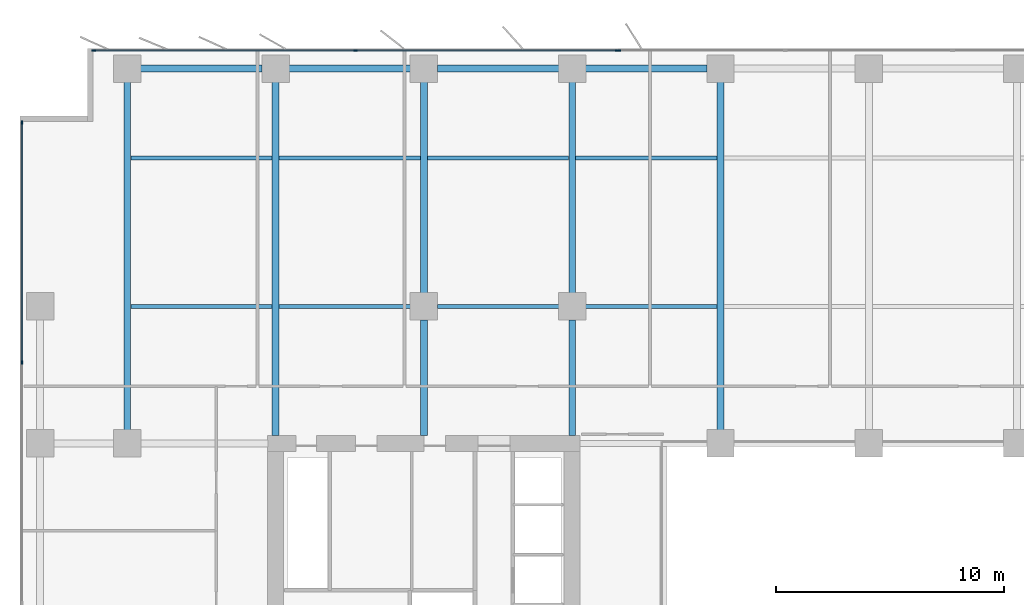
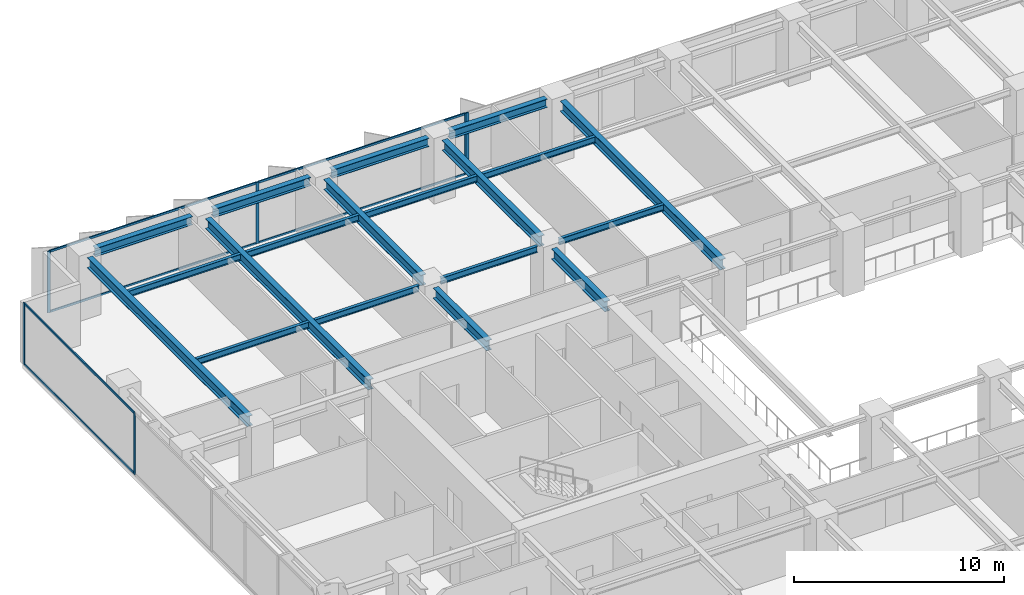
# One storey, part 7 of 20: 19 beams, 12 members, 3 elements without a shape of their own.
"""IFC4 building model written with IfcOpenShell, lengths in metres."""

from ifc_helpers import new_model, si_unit, direction, frame, origin, origin_2d, place, context, subcontext, project, spatial, rectangle, i_section, extrude, material, layer, layer_set, material_profile, profile_set, type_object, element, aggregate, save


model = new_model("IFC4")

# Units and contexts
model_context = context("Model", 3, precision=1e-05, world=origin(), true_north=direction((0.0, 1.0)))
body_context = subcontext(model_context, "Body", "Model", "MODEL_VIEW")
ifc_project = project(units=[si_unit("LENGTHUNIT", "METRE"), si_unit("AREAUNIT", "SQUARE_METRE"), si_unit("VOLUMEUNIT", "CUBIC_METRE"), si_unit("PLANEANGLEUNIT", "RADIAN"), si_unit("MASSUNIT", "GRAM", prefix="KILO")], contexts=[model_context])

# Site, building, storey
site_placement = place(None, origin())
site = spatial("IfcSite", under=ifc_project, at=site_placement, CompositionType="ELEMENT")
building_placement = place(site_placement, origin())
building = spatial("IfcBuilding", under=site, at=building_placement, Name="Putna Gate Headquarters", CompositionType="ELEMENT")
storey_placement = place(building_placement, frame((0.0, 0.0, 120.199951171875)))
storey = spatial("IfcBuildingStorey", under=building, at=storey_placement, Name="L29", CompositionType="ELEMENT", Elevation=120.199951171875)

# Beams
ifc_material_1 = material(Name="Steel S355J2", Category="steel")
ifc_material_profile_1 = material_profile(ifc_material_1, i_section(OverallWidth=0.300048828125, OverallDepth=0.60009765625, WebThickness=0.015380859375, FlangeThickness=0.030029296875, at=origin_2d()), Name="Steel S355J2")
ifc_profile_set_1 = profile_set([ifc_material_profile_1], Name="Steel S355J2")
beam_type_1 = type_object("IfcBeamType", Name="BM-GIRD-Z2-HEB600", PredefinedType="USERDEFINED", material=ifc_profile_set_1)
beam_1_placement = place(storey_placement, frame((6.5, 33.587890625, 3.26513671875), z_axis=(0.0, 1.0, 0.0), x_axis=(-1.0, 0.0, 0.0)))
element("IfcBeam", 1, at=beam_1_placement, inside=storey, type_object=beam_type_1, Name="L29 North Primary Girder X6", ObjectType="GIRDER", PredefinedType="USERDEFINED", context=body_context, shape_type="SweptSolid", body=[
    extrude(i_section(OverallWidth=0.300048828125, OverallDepth=0.60009765625, WebThickness=0.015380859375, FlangeThickness=0.030029296875, at=origin_2d()), origin(), (0.0, 0.0, 1.0), 15.244140625),
])
beam_2_placement = place(storey_placement, frame((13.0, 33.3349609375, 3.26513671875), z_axis=(0.0, 1.0, 0.0), x_axis=(-1.0, 0.0, 0.0)))
element("IfcBeam", 2, at=beam_2_placement, inside=storey, type_object=beam_type_1, Name="L29 North Primary Girder X13", ObjectType="GIRDER", PredefinedType="USERDEFINED", context=body_context, shape_type="SweptSolid", body=[
    extrude(i_section(OverallWidth=0.300048828125, OverallDepth=0.60009765625, WebThickness=0.015380859375, FlangeThickness=0.030029296875, at=origin_2d()), origin(), (0.0, 0.0, 1.0), 15.4970703125),
])
beam_3_placement = place(storey_placement, frame((19.5, 33.3349609375, 3.26513671875), z_axis=(0.0, 1.0, 0.0), x_axis=(-1.0, 0.0, 0.0)))
element("IfcBeam", 3, at=beam_3_placement, inside=storey, type_object=beam_type_1, Name="L29 North Primary Girder X19-1", ObjectType="GIRDER", PredefinedType="USERDEFINED", context=body_context, shape_type="SweptSolid", body=[
    extrude(i_section(OverallWidth=0.300048828125, OverallDepth=0.60009765625, WebThickness=0.015380859375, FlangeThickness=0.030029296875, at=origin_2d()), origin(), (0.0, 0.0, 1.0), 5.0771484375),
])
beam_4_placement = place(storey_placement, frame((19.5, 39.587890625, 3.26513671875), z_axis=(0.0, 1.0, 0.0), x_axis=(-1.0, 0.0, 0.0)))
element("IfcBeam", 4, at=beam_4_placement, inside=storey, type_object=beam_type_1, Name="L29 North Primary Girder X19-2", ObjectType="GIRDER", PredefinedType="USERDEFINED", context=body_context, shape_type="SweptSolid", body=[
    extrude(i_section(OverallWidth=0.300048828125, OverallDepth=0.60009765625, WebThickness=0.015380859375, FlangeThickness=0.030029296875, at=origin_2d()), origin(), (0.0, 0.0, 1.0), 9.244140625),
])
beam_5_placement = place(storey_placement, frame((26.0, 33.3349609375, 3.26513671875), z_axis=(0.0, 1.0, 0.0), x_axis=(-1.0, 0.0, 0.0)))
element("IfcBeam", 5, at=beam_5_placement, inside=storey, type_object=beam_type_1, Name="L29 North Primary Girder X26-1", ObjectType="GIRDER", PredefinedType="USERDEFINED", context=body_context, shape_type="SweptSolid", body=[
    extrude(i_section(OverallWidth=0.300048828125, OverallDepth=0.60009765625, WebThickness=0.015380859375, FlangeThickness=0.030029296875, at=origin_2d()), origin(), (0.0, 0.0, 1.0), 5.0771484375),
])
beam_6_placement = place(storey_placement, frame((26.0, 39.587890625, 3.26513671875), z_axis=(0.0, 1.0, 0.0), x_axis=(-1.0, 0.0, 0.0)))
element("IfcBeam", 6, at=beam_6_placement, inside=storey, type_object=beam_type_1, Name="L29 North Primary Girder X26-2", ObjectType="GIRDER", PredefinedType="USERDEFINED", context=body_context, shape_type="SweptSolid", body=[
    extrude(i_section(OverallWidth=0.300048828125, OverallDepth=0.60009765625, WebThickness=0.015380859375, FlangeThickness=0.030029296875, at=origin_2d()), origin(), (0.0, 0.0, 1.0), 9.244140625),
])
beam_7_placement = place(storey_placement, frame((32.5, 33.587890625, 3.26513671875), z_axis=(0.0, 1.0, 0.0), x_axis=(-1.0, 0.0, 0.0)))
element("IfcBeam", 7, at=beam_7_placement, inside=storey, type_object=beam_type_1, Name="L29 North Primary Girder X32", ObjectType="GIRDER", PredefinedType="USERDEFINED", context=body_context, shape_type="SweptSolid", body=[
    extrude(i_section(OverallWidth=0.300048828125, OverallDepth=0.60009765625, WebThickness=0.015380859375, FlangeThickness=0.030029296875, at=origin_2d()), origin(), (0.0, 0.0, 1.0), 15.244140625),
])
ifc_material_profile_2 = material_profile(ifc_material_1, i_section(OverallWidth=0.169921875, OverallDepth=0.360107421875, WebThickness=0.008056640625, FlangeThickness=0.0126953125, at=origin_2d()), Name="Steel S355J2")
ifc_profile_set_2 = profile_set([ifc_material_profile_2], Name="Steel S355J2")
beam_type_2 = type_object("IfcBeamType", Name="BM-SEC-Z2-IPE360", PredefinedType="BEAM", material=ifc_profile_set_2)
for number, where, z_axis, x_axis, name in (
    (8, (6.654052734375, 39.0, 3.385009765625), (1.0, 0.0, 0.0), (0.0, 1.0, 0.0), "L29 North Secondary Beam 1"),
    (9, (6.654052734375, 45.5, 3.385009765625), (1.0, 0.0, 0.0), (0.0, 1.0, 0.0), "L29 North Secondary Beam 1"),
):
    element("IfcBeam", number, at=place(storey_placement, frame(where, z_axis=z_axis, x_axis=x_axis)), inside=storey, type_object=beam_type_2, Name=name, PredefinedType="BEAM", context=body_context, shape_type="SweptSolid", body=[
        extrude(i_section(OverallWidth=0.169921875, OverallDepth=0.360107421875, WebThickness=0.008056640625, FlangeThickness=0.0126953125, at=origin_2d()), origin(), (0.0, 0.0, 1.0), 6.19189453125),
    ])
beam_8_placement = place(storey_placement, frame((13.154052734375, 39.0, 3.385009765625), z_axis=(1.0, 0.0, 0.0), x_axis=(0.0, 1.0, 0.0)))
element("IfcBeam", 10, at=beam_8_placement, inside=storey, type_object=beam_type_2, Name="L29 North Secondary Beam 2", PredefinedType="BEAM", context=body_context, shape_type="SweptSolid", body=[
    extrude(i_section(OverallWidth=0.169921875, OverallDepth=0.360107421875, WebThickness=0.008056640625, FlangeThickness=0.0126953125, at=origin_2d()), origin(), (0.0, 0.0, 1.0), 5.758056640625),
])
beam_9_placement = place(storey_placement, frame((13.154052734375, 45.5, 3.385009765625), z_axis=(1.0, 0.0, 0.0), x_axis=(0.0, 1.0, 0.0)))
element("IfcBeam", 11, at=beam_9_placement, inside=storey, type_object=beam_type_2, Name="L29 North Secondary Beam 2", PredefinedType="BEAM", context=body_context, shape_type="SweptSolid", body=[
    extrude(i_section(OverallWidth=0.169921875, OverallDepth=0.360107421875, WebThickness=0.008056640625, FlangeThickness=0.0126953125, at=origin_2d()), origin(), (0.0, 0.0, 1.0), 6.19189453125),
])
beam_10_placement = place(storey_placement, frame((20.087890625, 39.0, 3.385009765625), z_axis=(1.0, 0.0, 0.0), x_axis=(0.0, 1.0, 0.0)))
element("IfcBeam", 12, at=beam_10_placement, inside=storey, type_object=beam_type_2, Name="L29 North Secondary Beam 3", PredefinedType="BEAM", context=body_context, shape_type="SweptSolid", body=[
    extrude(i_section(OverallWidth=0.169921875, OverallDepth=0.360107421875, WebThickness=0.008056640625, FlangeThickness=0.0126953125, at=origin_2d()), origin(), (0.0, 0.0, 1.0), 5.32421875),
])
beam_11_placement = place(storey_placement, frame((19.654052734375, 45.5, 3.385009765625), z_axis=(1.0, 0.0, 0.0), x_axis=(0.0, 1.0, 0.0)))
element("IfcBeam", 13, at=beam_11_placement, inside=storey, type_object=beam_type_2, Name="L29 North Secondary Beam 3", PredefinedType="BEAM", context=body_context, shape_type="SweptSolid", body=[
    extrude(i_section(OverallWidth=0.169921875, OverallDepth=0.360107421875, WebThickness=0.008056640625, FlangeThickness=0.0126953125, at=origin_2d()), origin(), (0.0, 0.0, 1.0), 6.19189453125),
])
beam_12_placement = place(storey_placement, frame((26.587890625, 39.0, 3.385009765625), z_axis=(1.0, 0.0, 0.0), x_axis=(0.0, 1.0, 0.0)))
element("IfcBeam", 14, at=beam_12_placement, inside=storey, type_object=beam_type_2, Name="L29 North Secondary Beam 4", PredefinedType="BEAM", context=body_context, shape_type="SweptSolid", body=[
    extrude(i_section(OverallWidth=0.169921875, OverallDepth=0.360107421875, WebThickness=0.008056640625, FlangeThickness=0.0126953125, at=origin_2d()), origin(), (0.0, 0.0, 1.0), 5.758056640625),
])
beam_13_placement = place(storey_placement, frame((26.154052734375, 45.5, 3.385009765625), z_axis=(1.0, 0.0, 0.0), x_axis=(0.0, 1.0, 0.0)))
element("IfcBeam", 15, at=beam_13_placement, inside=storey, type_object=beam_type_2, Name="L29 North Secondary Beam 4", PredefinedType="BEAM", context=body_context, shape_type="SweptSolid", body=[
    extrude(i_section(OverallWidth=0.169921875, OverallDepth=0.360107421875, WebThickness=0.008056640625, FlangeThickness=0.0126953125, at=origin_2d()), origin(), (0.0, 0.0, 1.0), 6.19189453125),
])
ifc_material_profile_3 = material_profile(ifc_material_1, i_section(OverallWidth=0.300048828125, OverallDepth=0.489990234375, WebThickness=0.011962890625, FlangeThickness=0.02294921875, at=origin_2d()), Name="Steel S355J2")
ifc_profile_set_3 = profile_set([ifc_material_profile_3], Name="Steel S355J2")
beam_type_3 = type_object("IfcBeamType", Name="BM-SPAN-Z2-HEA500", PredefinedType="SPANDREL", material=ifc_profile_set_3)
for number, where, z_axis, x_axis, name in (
    (16, (7.087890625, 49.419921875, 3.320068359375), (1.0, 0.0, 0.0), (0.0, 1.0, 0.0), "L29 N Perimeter Spandrel 1"),
    (17, (13.587890625, 49.419921875, 3.320068359375), (1.0, 0.0, 0.0), (0.0, 1.0, 0.0), "L29 N Perimeter Spandrel 2"),
    (18, (20.087890625, 49.419921875, 3.320068359375), (1.0, 0.0, 0.0), (0.0, 1.0, 0.0), "L29 N Perimeter Spandrel 3"),
    (19, (26.587890625, 49.419921875, 3.320068359375), (1.0, 0.0, 0.0), (0.0, 1.0, 0.0), "L29 N Perimeter Spandrel 4"),
):
    element("IfcBeam", number, at=place(storey_placement, frame(where, z_axis=z_axis, x_axis=x_axis)), inside=storey, type_object=beam_type_3, Name=name, PredefinedType="SPANDREL", context=body_context, shape_type="SweptSolid", body=[
        extrude(i_section(OverallWidth=0.300048828125, OverallDepth=0.489990234375, WebThickness=0.011962890625, FlangeThickness=0.02294921875, at=origin_2d()), origin(), (0.0, 0.0, 1.0), 5.32421875),
    ])

# Curtain wall, members
ifc_material_2 = material(Name="Anodised bronze aluminium curtain wall", Category="aluminium")
ifc_layer_1 = layer(ifc_material_2, 0.159912109375)
ifc_layer_set_1 = layer_set([ifc_layer_1], Name="Anodised bronze aluminium curtain wall")
curtain_wall_type_1 = type_object("IfcCurtainWallType", Name="CW-SYS-Z2", PredefinedType="USERDEFINED", material=ifc_layer_set_1)
curtain_wall_1_placement = place(storey_placement, origin())
curtain_wall_1 = element("IfcCurtainWall", 20, at=curtain_wall_1_placement, inside=storey, type_object=curtain_wall_type_1, Name="L29 North West Curtain Wall", ObjectType="STICK CURTAIN WALL", PredefinedType="USERDEFINED")
ifc_material_3 = material(Name="Anodised bronze aluminium EN AW-6060", Category="aluminium")
ifc_material_profile_4 = material_profile(ifc_material_3, rectangle(XDim=0.06494140625, YDim=0.159912109375, at=origin_2d()), Name="Anodised bronze aluminium EN AW-6060")
ifc_profile_set_4 = profile_set([ifc_material_profile_4], Name="Anodised bronze aluminium EN AW-6060")
member_type_1 = type_object("IfcMemberType", Name="MULL-CWM-2", PredefinedType="MULLION", material=ifc_profile_set_4)
member_1_placement = place(storey_placement, frame((5.032470703125, 50.219970703125, 0.0), z_axis=(0.0, 0.0, 1.0), x_axis=(0.0, 1.0, 0.0)))
member_1 = element("IfcMember", 21, at=member_1_placement, type_object=member_type_1, Name="CWS-2 mullion 1", PredefinedType="MULLION", context=body_context, shape_type="SweptSolid", body=[
    extrude(rectangle(XDim=0.06494140625, YDim=0.159912109375, at=origin_2d()), origin(), (0.0, 0.0, 1.0), 3.56494140625),
])
member_2_placement = place(storey_placement, frame((16.5, 50.219970703125, 0.0), z_axis=(0.0, 0.0, 1.0), x_axis=(0.0, 1.0, 0.0)))
member_2 = element("IfcMember", 22, at=member_2_placement, type_object=member_type_1, Name="CWS-2 mullion 2", PredefinedType="MULLION", context=body_context, shape_type="SweptSolid", body=[
    extrude(rectangle(XDim=0.06494140625, YDim=0.159912109375, at=origin_2d()), origin(), (0.0, 0.0, 1.0), 3.56494140625),
])
member_3_placement = place(storey_placement, frame((27.967529296875, 50.219970703125, 0.0), z_axis=(0.0, 0.0, 1.0), x_axis=(0.0, 1.0, 0.0)))
member_3 = element("IfcMember", 23, at=member_3_placement, type_object=member_type_1, Name="CWS-2 mullion 3", PredefinedType="MULLION", context=body_context, shape_type="SweptSolid", body=[
    extrude(rectangle(XDim=0.06494140625, YDim=0.159912109375, at=origin_2d()), origin(), (0.0, 0.0, 1.0), 3.56494140625),
])

curtain_wall_2_placement = place(storey_placement, origin())
curtain_wall_2 = element("IfcCurtainWall", 24, at=curtain_wall_2_placement, inside=storey, type_object=curtain_wall_type_1, Name="L29 West Curtain Wall", ObjectType="STICK CURTAIN WALL", PredefinedType="USERDEFINED")
member_4_placement = place(storey_placement, frame((1.8798828125, 36.550048828125, 0.0), z_axis=(0.0, 0.0, 1.0), x_axis=(-1.0, 0.0, 0.0)))
member_4 = element("IfcMember", 25, at=member_4_placement, type_object=member_type_1, Name="CWS-2 mullion 4", PredefinedType="MULLION", context=body_context, shape_type="SweptSolid", body=[
    extrude(rectangle(XDim=0.06494140625, YDim=0.159912109375, at=origin_2d()), origin(), (0.0, 0.0, 1.0), 3.56494140625),
])
member_5_placement = place(storey_placement, frame((1.8798828125, 47.0673828125, 0.0), z_axis=(0.0, 0.0, 1.0), x_axis=(-1.0, 0.0, 0.0)))
member_5 = element("IfcMember", 26, at=member_5_placement, type_object=member_type_1, Name="CWS-2 mullion 5", PredefinedType="MULLION", context=body_context, shape_type="SweptSolid", body=[
    extrude(rectangle(XDim=0.06494140625, YDim=0.159912109375, at=origin_2d()), origin(), (0.0, 0.0, 1.0), 3.56494140625),
])

# Curtain wall, member
ifc_layer_2 = layer(ifc_material_2, 0.179931640625)
ifc_layer_set_2 = layer_set([ifc_layer_2], Name="Anodised bronze aluminium curtain wall")
curtain_wall_type_2 = type_object("IfcCurtainWallType", Name="CW-SYS-ATR", PredefinedType="USERDEFINED", material=ifc_layer_set_2)
curtain_wall_3_placement = place(storey_placement, origin())
curtain_wall_3 = element("IfcCurtainWall", 27, at=curtain_wall_3_placement, inside=storey, type_object=curtain_wall_type_2, Name="L29 North Atrium Clear Glazing", ObjectType="ATRIUM GLAZING", PredefinedType="USERDEFINED")
ifc_material_profile_5 = material_profile(ifc_material_3, rectangle(XDim=0.070068359375, YDim=0.179931640625, at=origin_2d()), Name="Anodised bronze aluminium EN AW-6060")
ifc_profile_set_5 = profile_set([ifc_material_profile_5], Name="Anodised bronze aluminium EN AW-6060")
member_type_2 = type_object("IfcMemberType", Name="MULL-CWM-AT", PredefinedType="MULLION", material=ifc_profile_set_5)
member_6_placement = place(storey_placement, frame((28.034912109375, 50.219970703125, 0.0), z_axis=(0.0, 0.0, 1.0), x_axis=(0.0, 1.0, 0.0)))
member_6 = element("IfcMember", 28, at=member_6_placement, type_object=member_type_2, Name="CWS-AT mullion 1", PredefinedType="MULLION", context=body_context, shape_type="SweptSolid", body=[
    extrude(rectangle(XDim=0.070068359375, YDim=0.179931640625, at=origin_2d()), origin(), (0.0, 0.0, 1.0), 3.56494140625),
])
aggregate(curtain_wall_3, [member_6])

# Member
ifc_material_profile_6 = material_profile(ifc_material_3, rectangle(XDim=0.06494140625, YDim=0.1201171875, at=origin_2d()), Name="Anodised bronze aluminium EN AW-6060")
ifc_profile_set_6 = profile_set([ifc_material_profile_6], Name="Anodised bronze aluminium EN AW-6060")
member_type_3 = type_object("IfcMemberType", Name="TRAN-CWT-2", PredefinedType="USERDEFINED", material=ifc_profile_set_6)
member_7_placement = place(storey_placement, frame((5.06494140625, 50.219970703125, 0.032470703125), z_axis=(1.0, 0.0, 0.0), x_axis=(0.0, 1.0, 0.0)))
member_7 = element("IfcMember", 29, at=member_7_placement, type_object=member_type_3, Name="CWS-2 transom 1.1", ObjectType="TRANSOM", PredefinedType="USERDEFINED", context=body_context, shape_type="SweptSolid", body=[
    extrude(rectangle(XDim=0.06494140625, YDim=0.1201171875, at=origin_2d()), origin(), (0.0, 0.0, 1.0), 11.402587890625),
])

member_8_placement = place(storey_placement, frame((5.06494140625, 50.219970703125, 3.532470703125), z_axis=(1.0, 0.0, 0.0), x_axis=(0.0, 1.0, 0.0)))
member_8 = element("IfcMember", 30, at=member_8_placement, type_object=member_type_3, Name="CWS-2 transom 1.2", ObjectType="TRANSOM", PredefinedType="USERDEFINED", context=body_context, shape_type="SweptSolid", body=[
    extrude(rectangle(XDim=0.06494140625, YDim=0.1201171875, at=origin_2d()), origin(), (0.0, 0.0, 1.0), 11.402587890625),
])

member_9_placement = place(storey_placement, frame((16.532470703125, 50.219970703125, 0.032470703125), z_axis=(1.0, 0.0, 0.0), x_axis=(0.0, 1.0, 0.0)))
member_9 = element("IfcMember", 31, at=member_9_placement, type_object=member_type_3, Name="CWS-2 transom 2.1", ObjectType="TRANSOM", PredefinedType="USERDEFINED", context=body_context, shape_type="SweptSolid", body=[
    extrude(rectangle(XDim=0.06494140625, YDim=0.1201171875, at=origin_2d()), origin(), (0.0, 0.0, 1.0), 11.402587890625),
])

member_10_placement = place(storey_placement, frame((16.532470703125, 50.219970703125, 3.532470703125), z_axis=(1.0, 0.0, 0.0), x_axis=(0.0, 1.0, 0.0)))
member_10 = element("IfcMember", 32, at=member_10_placement, type_object=member_type_3, Name="CWS-2 transom 2.2", ObjectType="TRANSOM", PredefinedType="USERDEFINED", context=body_context, shape_type="SweptSolid", body=[
    extrude(rectangle(XDim=0.06494140625, YDim=0.1201171875, at=origin_2d()), origin(), (0.0, 0.0, 1.0), 11.402587890625),
])

aggregate(curtain_wall_1, [member_1, member_2, member_3, member_7, member_8, member_9, member_10])

member_11_placement = place(storey_placement, frame((1.8798828125, 36.58251953125, 0.032470703125), z_axis=(0.0, 1.0, 0.0), x_axis=(-1.0, 0.0, 0.0)))
member_11 = element("IfcMember", 33, at=member_11_placement, type_object=member_type_3, Name="CWS-2 transom 4.1", ObjectType="TRANSOM", PredefinedType="USERDEFINED", context=body_context, shape_type="SweptSolid", body=[
    extrude(rectangle(XDim=0.06494140625, YDim=0.1201171875, at=origin_2d()), origin(), (0.0, 0.0, 1.0), 10.452392578125),
])

member_12_placement = place(storey_placement, frame((1.8798828125, 36.58251953125, 3.532470703125), z_axis=(0.0, 1.0, 0.0), x_axis=(-1.0, 0.0, 0.0)))
member_12 = element("IfcMember", 34, at=member_12_placement, type_object=member_type_3, Name="CWS-2 transom 4.2", ObjectType="TRANSOM", PredefinedType="USERDEFINED", context=body_context, shape_type="SweptSolid", body=[
    extrude(rectangle(XDim=0.06494140625, YDim=0.1201171875, at=origin_2d()), origin(), (0.0, 0.0, 1.0), 10.452392578125),
])

aggregate(curtain_wall_2, [member_4, member_5, member_11, member_12])

save(model, "model.ifc")
